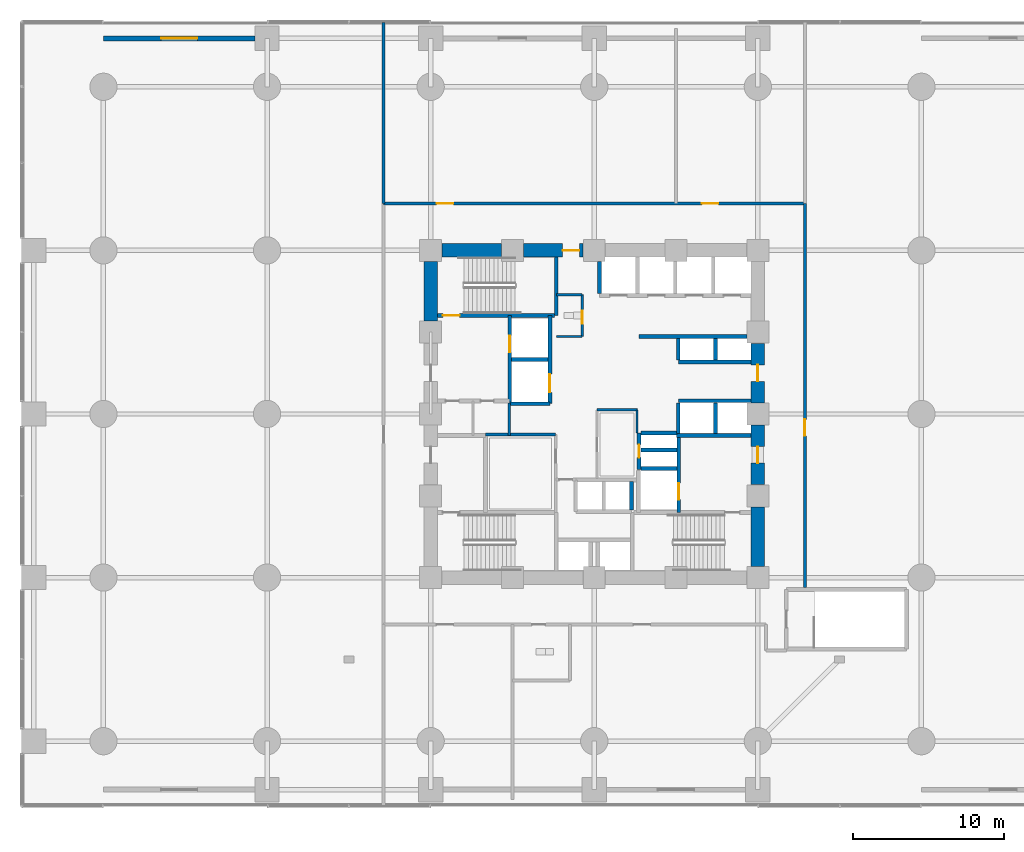
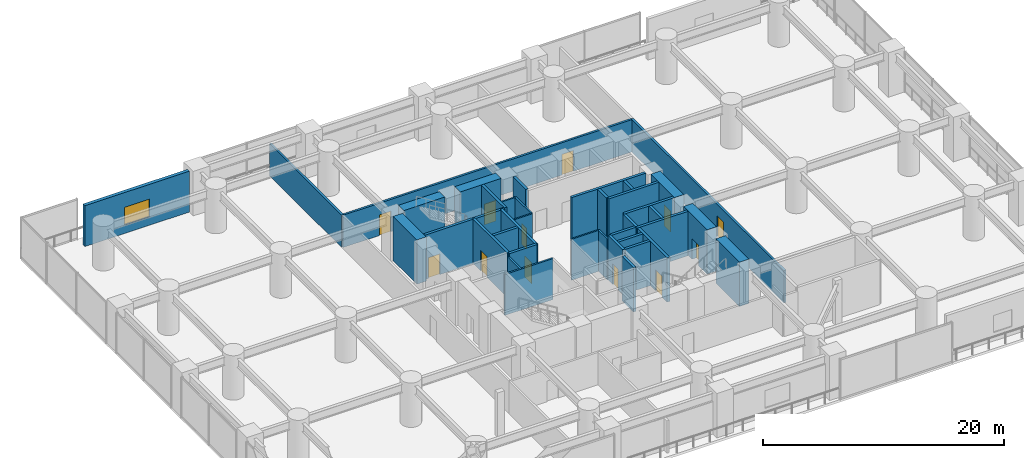
# One storey, part 28 of 35: 38 walls, 12 doors, 1 window, 13 openings.
"""IFC4 building model written with IfcOpenShell, lengths in metres."""

from ifc_helpers import new_model, si_unit, direction, frame, frame_2d, origin, place, context, subcontext, project, spatial, rectangle, extrude, material, layer, layer_set, type_object, element, fill, save


model = new_model("IFC4")

# Units and contexts
model_context = context("Model", 3, precision=1e-05, world=origin(), true_north=direction((0.0, 1.0)))
body_context = subcontext(model_context, "Body", "Model", "MODEL_VIEW")
ifc_project = project(units=[si_unit("LENGTHUNIT", "METRE"), si_unit("AREAUNIT", "SQUARE_METRE"), si_unit("VOLUMEUNIT", "CUBIC_METRE"), si_unit("PLANEANGLEUNIT", "RADIAN"), si_unit("MASSUNIT", "GRAM", prefix="KILO")], contexts=[model_context])

# Site, building, storey
site_placement = place(None, origin())
site = spatial("IfcSite", under=ifc_project, at=site_placement, CompositionType="ELEMENT")
building_placement = place(site_placement, origin())
building = spatial("IfcBuilding", under=site, at=building_placement, Name="Surkhivell Harbour Commons", CompositionType="ELEMENT")
storey_placement = place(building_placement, frame((0.0, 0.0, 13.5)))
storey = spatial("IfcBuildingStorey", under=building, at=storey_placement, Name="L03", CompositionType="ELEMENT", Elevation=13.5)

# Walls
ifc_material_1 = material(Name="Concrete C80/95", Category="concrete")
ifc_layer_1 = layer(ifc_material_1, 0.89990234375)
ifc_layer_set_1 = layer_set([ifc_layer_1], Name="Concrete C80/95")
wall_type_1 = type_object("IfcWallType", Name="WAL-CORE-900", PredefinedType="SHEAR", material=ifc_layer_set_1)
for number, where, z_axis, x_axis, name in (
    (1, (-10.06494140625, 10.800048828125, 0.0), (0.0, 0.0, 1.0), (1.0, 0.0, 0.0), "L03 Core Shear Wall North 1"),
    (2, (10.800048828125, -10.06494140625, 0.0), (0.0, 0.0, 1.0), (0.0, 1.0, 0.0), "L03 Core Shear Wall East 1"),
):
    element("IfcWall", number, at=place(storey_placement, frame(where, z_axis=z_axis, x_axis=x_axis)), inside=storey, type_object=wall_type_1, Name=name, PredefinedType="SHEAR", context=body_context, shape_type="SweptSolid", body=[
        extrude(rectangle(XDim=3.929931640625, YDim=0.89990234375, at=frame_2d((1.96484375, 0.0))), origin(), (0.0, 0.0, 1.0), 4.5),
    ])

# Wall, opening, door
wall_1_placement = place(storey_placement, frame((-4.6650390625, 10.800048828125, 0.0), z_axis=(0.0, 0.0, 1.0), x_axis=(1.0, 0.0, 0.0)))
wall_1 = element("IfcWall", 3, at=wall_1_placement, inside=storey, type_object=wall_type_1, Name="L03 Core Shear Wall North 2", PredefinedType="SHEAR", context=body_context, shape_type="SweptSolid", body=[
    extrude(rectangle(XDim=3.929931640625, YDim=0.89990234375, at=frame_2d((1.96484375, 0.0))), origin(), (0.0, 0.0, 1.0), 4.5),
])
opening_1_placement = place(wall_1_placement, frame((2.580078125, 0.0, 0.0)))
opening_1 = element("IfcOpeningElement", 4, at=opening_1_placement, cuts=wall_1, Name="Opening ID-2", PredefinedType="OPENING", context=body_context, shape_type="SweptSolid", body=[
    extrude(rectangle(XDim=1.10009765625, YDim=2.10009765625, at=frame_2d((0.550048828125, 1.050048828125))), frame((0.0, 0.4599609375, 0.0), z_axis=(0.0, -1.0, 0.0), x_axis=(1.0, 0.0, 0.0)), (0.0, 0.0, 1.0), 0.919921875),
])
ifc_material_2 = material(Name="Hardwood-veneered fire-rated door leaf", Category="wood")
door_type_1 = type_object("IfcDoorType", Name="DOR-FD60-1100", OperationType="NOTDEFINED", PredefinedType="DOOR", material=ifc_material_2)
door_1_placement = place(opening_1_placement, origin())
door_1 = element("IfcDoor", 5, at=door_1_placement, inside=storey, type_object=door_type_1, Name="L03 Central Core Lift Hall North Corridor Door", OperationType="SINGLE_SWING_LEFT", OverallHeight=2.10009765625, OverallWidth=1.10009765625, PredefinedType="DOOR", context=body_context, shape_type="SweptSolid", body=[
    extrude(rectangle(XDim=1.10009765625, YDim=2.10009765625, at=frame_2d((0.550048828125, 1.050048828125))), frame((0.0, 0.02490234375, 0.0), z_axis=(0.0, -1.0, 0.0), x_axis=(1.0, 0.0, 0.0)), (0.0, 0.0, 1.0), 0.050048828125),
])
fill(opening_1, door_1)

wall_2_placement = place(storey_placement, frame((10.800048828125, -4.6650390625, 0.0), z_axis=(0.0, 0.0, 1.0), x_axis=(0.0, 1.0, 0.0)))
wall_2 = element("IfcWall", 6, at=wall_2_placement, inside=storey, type_object=wall_type_1, Name="L03 Core Shear Wall East 2", PredefinedType="SHEAR", context=body_context, shape_type="SweptSolid", body=[
    extrude(rectangle(XDim=3.929931640625, YDim=0.89990234375, at=frame_2d((1.96484375, 0.0))), origin(), (0.0, 0.0, 1.0), 4.5),
])
opening_2_placement = place(wall_2_placement, frame((1.4150390625, 0.0, 0.0)))
opening_2 = element("IfcOpeningElement", 7, at=opening_2_placement, cuts=wall_2, Name="Opening ID-1", PredefinedType="OPENING", context=body_context, shape_type="SweptSolid", body=[
    extrude(rectangle(XDim=1.10009765625, YDim=2.10009765625, at=frame_2d((0.550048828125, 1.050048828125))), frame((0.0, 0.4599609375, 0.0), z_axis=(0.0, -1.0, 0.0), x_axis=(1.0, 0.0, 0.0)), (0.0, 0.0, 1.0), 0.919921875),
])
door_type_2 = type_object("IfcDoorType", Name="DOR-FD120-1100", OperationType="NOTDEFINED", PredefinedType="DOOR", material=ifc_material_2)
door_2_placement = place(opening_2_placement, origin())
door_2 = element("IfcDoor", 8, at=door_2_placement, inside=storey, type_object=door_type_2, Name="L03 Firefighting Lobby 2 Corridor Door", OperationType="SINGLE_SWING_RIGHT", OverallHeight=2.10009765625, OverallWidth=1.10009765625, PredefinedType="DOOR", context=body_context, shape_type="SweptSolid", body=[
    extrude(rectangle(XDim=1.10009765625, YDim=2.10009765625, at=frame_2d((0.550048828125, 1.050048828125))), frame((0.0, 0.02490234375, 0.0), z_axis=(0.0, -1.0, 0.0), x_axis=(1.0, 0.0, 0.0)), (0.0, 0.0, 1.0), 0.050048828125),
])
fill(opening_2, door_2)

wall_3_placement = place(storey_placement, frame((10.800048828125, 0.735107421875, 0.0), z_axis=(0.0, 0.0, 1.0), x_axis=(0.0, 1.0, 0.0)))
wall_3 = element("IfcWall", 9, at=wall_3_placement, inside=storey, type_object=wall_type_1, Name="L03 Core Shear Wall East 3", PredefinedType="SHEAR", context=body_context, shape_type="SweptSolid", body=[
    extrude(rectangle(XDim=3.929931640625, YDim=0.89990234375, at=frame_2d((1.96484375, 0.0))), origin(), (0.0, 0.0, 1.0), 4.5),
])
opening_3_placement = place(wall_3_placement, frame((1.4150390625, 0.0, 0.0)))
opening_3 = element("IfcOpeningElement", 10, at=opening_3_placement, cuts=wall_3, Name="Opening ID-2", PredefinedType="OPENING", context=body_context, shape_type="SweptSolid", body=[
    extrude(rectangle(XDim=1.10009765625, YDim=2.10009765625, at=frame_2d((0.550048828125, 1.050048828125))), frame((0.0, 0.4599609375, 0.0), z_axis=(0.0, -1.0, 0.0), x_axis=(1.0, 0.0, 0.0)), (0.0, 0.0, 1.0), 0.919921875),
])
door_3_placement = place(opening_3_placement, origin())
door_3 = element("IfcDoor", 11, at=door_3_placement, inside=storey, type_object=door_type_1, Name="L03 Mid-Rise Lobby East Door", OperationType="SINGLE_SWING_LEFT", OverallHeight=2.10009765625, OverallWidth=1.10009765625, PredefinedType="DOOR", context=body_context, shape_type="SweptSolid", body=[
    extrude(rectangle(XDim=1.10009765625, YDim=2.10009765625, at=frame_2d((0.550048828125, 1.050048828125))), frame((0.0, 0.02490234375, 0.0), z_axis=(0.0, -1.0, 0.0), x_axis=(1.0, 0.0, 0.0)), (0.0, 0.0, 1.0), 0.050048828125),
])
fill(opening_3, door_3)

# Wall
wall_4_placement = place(storey_placement, frame((-10.800048828125, 6.135009765625, 0.0), z_axis=(0.0, 0.0, 1.0), x_axis=(0.0, 1.0, 0.0)))
element("IfcWall", 12, at=wall_4_placement, inside=storey, type_object=wall_type_1, Name="L03 Core Shear Wall West 4", PredefinedType="SHEAR", context=body_context, shape_type="SweptSolid", body=[
    extrude(rectangle(XDim=3.929931640625, YDim=0.89990234375, at=frame_2d((1.96484375, 0.0))), origin(), (0.0, 0.0, 1.0), 4.5),
])

# Wall, opening, window
ifc_material_3 = material(Name="Kiln-fired surkhi brick and precast concrete C45/55", Category="masonry")
ifc_layer_2 = layer(ifc_material_3, 0.320068359375)
ifc_layer_set_2 = layer_set([ifc_layer_2], Name="Kiln-fired surkhi brick and precast concrete C45/55")
wall_type_2 = type_object("IfcWallType", Name="WAL-EXT-BRK320", PredefinedType="STANDARD", material=ifc_layer_set_2)
wall_5_placement = place(storey_placement, frame((-32.39990234375, 24.800048828125, 0.0), z_axis=(0.0, 0.0, 1.0), x_axis=(1.0, 0.0, 0.0)))
wall_5 = element("IfcWall", 13, at=wall_5_placement, inside=storey, type_object=wall_type_2, Name="L03 Podium Brick Facade Wall N2", PredefinedType="STANDARD", context=body_context, shape_type="SweptSolid", body=[
    extrude(rectangle(XDim=10.001953125, YDim=0.320068359375, at=frame_2d((5.0009765625, 0.0))), origin(), (0.0, 0.0, 1.0), 4.14990234375),
])
opening_4_placement = place(wall_5_placement, frame((3.801025390625, 0.0, 0.85009765625)))
opening_4 = element("IfcOpeningElement", 14, at=opening_4_placement, cuts=wall_5, Name="Opening WN-01", PredefinedType="OPENING", context=body_context, shape_type="SweptSolid", body=[
    extrude(rectangle(XDim=2.39990234375, YDim=1.800048828125, at=frame_2d((1.199951171875, 0.89990234375))), frame((0.0, 0.169921875, 0.0), z_axis=(0.0, -1.0, 0.0), x_axis=(1.0, 0.0, 0.0)), (0.0, 0.0, 1.0), 0.340087890625),
])
ifc_material_4 = material(Name="Thermal-break aluminium frame and double low-E glazing", Category="aluminium")
window_type = type_object("IfcWindowType", Name="WIN-POD-2400x1800", PartitioningType="DOUBLE_PANEL_VERTICAL", PredefinedType="WINDOW", material=ifc_material_4)
window_placement = place(opening_4_placement, origin())
window = element("IfcWindow", 15, at=window_placement, inside=storey, type_object=window_type, Name="L03 Podium Punched Window N2", OverallHeight=1.800048828125, OverallWidth=2.39990234375, PartitioningType="SINGLE_PANEL", PredefinedType="WINDOW", context=body_context, shape_type="SweptSolid", body=[
    extrude(rectangle(XDim=2.39990234375, YDim=1.800048828125, at=frame_2d((1.199951171875, 0.89990234375))), frame((0.0, 0.030029296875, 0.0), z_axis=(0.0, -1.0, 0.0), x_axis=(1.0, 0.0, 0.0)), (0.0, 0.0, 1.0), 0.06005859375),
])
fill(opening_4, window)

# Wall, opening, door
ifc_material_5 = material(Name="Twin-stud acoustic fireboard partition", Category="other")
ifc_layer_3 = layer(ifc_material_5, 0.14990234375)
ifc_layer_set_3 = layer_set([ifc_layer_3], Name="Twin-stud acoustic fireboard partition")
wall_type_3 = type_object("IfcWallType", Name="WAL-INT-150", PredefinedType="PARTITIONING", material=ifc_layer_set_3)
wall_6_placement = place(storey_placement, frame((-0.800048828125, 5.1201171875, 0.0), z_axis=(0.0, 0.0, 1.0), x_axis=(0.0, 1.0, 0.0)))
wall_6 = element("IfcWall", 16, at=wall_6_placement, inside=storey, type_object=wall_type_3, Name="L03 Core Accessible WC East Wall", PredefinedType="PARTITIONING", context=body_context, shape_type="SweptSolid", body=[
    extrude(rectangle(XDim=2.759765625, YDim=0.14990234375, at=frame_2d((1.3798828125, 0.0))), origin(), (0.0, 0.0, 1.0), 4.14990234375),
])
opening_5_placement = place(wall_6_placement, frame((0.85009765625, 0.0, 0.0)))
opening_5 = element("IfcOpeningElement", 17, at=opening_5_placement, cuts=wall_6, Name="Opening ID-6", PredefinedType="OPENING", context=body_context, shape_type="SweptSolid", body=[
    extrude(rectangle(XDim=0.85009765625, YDim=2.10009765625, at=frame_2d((0.425048828125, 1.050048828125))), frame((0.0, 0.0849609375, 0.0), z_axis=(0.0, -1.0, 0.0), x_axis=(1.0, 0.0, 0.0)), (0.0, 0.0, 1.0), 0.169921875),
])
door_type_3 = type_object("IfcDoorType", Name="DOR-FD30-850", OperationType="NOTDEFINED", PredefinedType="DOOR", material=ifc_material_2)
door_4_placement = place(opening_5_placement, origin())
door_4 = element("IfcDoor", 18, at=door_4_placement, inside=storey, type_object=door_type_3, Name="L03 Floor Accessible WC Door", OperationType="SINGLE_SWING_LEFT", OverallHeight=2.10009765625, OverallWidth=0.85009765625, PredefinedType="DOOR", context=body_context, shape_type="SweptSolid", body=[
    extrude(rectangle(XDim=0.85009765625, YDim=2.10009765625, at=frame_2d((0.425048828125, 1.050048828125))), frame((0.0, 0.02490234375, 0.0), z_axis=(0.0, -1.0, 0.0), x_axis=(1.0, 0.0, 0.0)), (0.0, 0.0, 1.0), 0.050048828125),
])
fill(opening_5, door_4)

# Walls
for number, where, z_axis, x_axis, name in (
    (19, (-2.47998046875, 7.8798828125, 0.0), (0.0, 0.0, 1.0), (1.0, 0.0, 0.0), "L03 Core Accessible WC North Wall"),
    (20, (-2.47998046875, 5.1201171875, 0.0), (0.0, 0.0, 1.0), (1.0, 0.0, 0.0), "L03 Core Accessible WC South Wall"),
):
    element("IfcWall", number, at=place(storey_placement, frame(where, z_axis=z_axis, x_axis=x_axis)), inside=storey, type_object=wall_type_3, Name=name, PredefinedType="PARTITIONING", context=body_context, shape_type="SweptSolid", body=[
        extrude(rectangle(XDim=1.679931640625, YDim=0.14990234375, at=frame_2d((0.83984375, 0.0))), origin(), (0.0, 0.0, 1.0), 4.14990234375),
    ])
wall_7_placement = place(storey_placement, frame((2.820068359375, -1.25, 0.0), z_axis=(0.0, 0.0, 1.0), x_axis=(0.0, 1.0, 0.0)))
element("IfcWall", 21, at=wall_7_placement, inside=storey, type_object=wall_type_3, Name="L03 Central Music East Wall", PredefinedType="PARTITIONING", context=body_context, shape_type="SweptSolid", body=[
    extrude(rectangle(XDim=1.530029296875, YDim=0.14990234375, at=frame_2d((0.76513671875, 0.0))), origin(), (0.0, 0.0, 1.0), 4.14990234375),
])
wall_8_placement = place(storey_placement, frame((0.179931640625, 0.280029296875, 0.0), z_axis=(0.0, 0.0, 1.0), x_axis=(1.0, 0.0, 0.0)))
element("IfcWall", 22, at=wall_8_placement, inside=storey, type_object=wall_type_3, Name="L03 Central Music North Wall", PredefinedType="PARTITIONING", context=body_context, shape_type="SweptSolid", body=[
    extrude(rectangle(XDim=2.670166015625, YDim=0.14990234375, at=frame_2d((1.3349609375, 0.0))), origin(), (0.0, 0.0, 1.0), 4.14990234375),
])
ifc_material_6 = material(Name="High-density acoustic blockwork fire partition", Category="masonry")
ifc_layer_4 = layer(ifc_material_6, 0.175048828125)
ifc_layer_set_4 = layer_set([ifc_layer_4], Name="High-density acoustic blockwork fire partition")
wall_type_4 = type_object("IfcWallType", Name="WAL-INT-175", PredefinedType="PARTITIONING", material=ifc_layer_set_4)
wall_9_placement = place(storey_placement, frame((-7.179931640625, -1.35009765625, 0.0), z_axis=(0.0, 0.0, 1.0), x_axis=(1.0, 0.0, 0.0)))
element("IfcWall", 23, at=wall_9_placement, inside=storey, type_object=wall_type_4, Name="L03 Core Service Bay North Wall", PredefinedType="PARTITIONING", context=body_context, shape_type="SweptSolid", body=[
    extrude(rectangle(XDim=4.6298828125, YDim=0.175048828125, at=frame_2d((2.31494140625, 0.0))), origin(), (0.0, 0.0, 1.0), 4.14990234375),
])
wall_10_placement = place(storey_placement, frame((-5.6201171875, -1.419921875, 0.0), z_axis=(0.0, 0.0, 1.0), x_axis=(0.0, 1.0, 0.0)))
element("IfcWall", 24, at=wall_10_placement, inside=storey, type_object=wall_type_4, Name="L03 West Core Bay East Wall", PredefinedType="PARTITIONING", context=body_context, shape_type="SweptSolid", body=[
    extrude(rectangle(XDim=2.139892578125, YDim=0.175048828125, at=frame_2d((1.06982421875, 0.0))), origin(), (0.0, 0.0, 1.0), 4.14990234375),
])

# Wall, opening, door
ifc_material_7 = material(Name="Autoclaved aerated concrete blockwork and fire plaster", Category="masonry")
ifc_layer_5 = layer(ifc_material_7, 0.199951171875)
ifc_layer_set_5 = layer_set([ifc_layer_5], Name="Autoclaved aerated concrete blockwork and fire plaster")
wall_type_5 = type_object("IfcWallType", Name="WAL-INT-200", PredefinedType="PARTITIONING", material=ifc_layer_set_5)
wall_11_placement = place(storey_placement, frame((13.89990234375, -11.449951171875, 0.0), z_axis=(0.0, 0.0, 1.0), x_axis=(0.0, 1.0, 0.0)))
wall_11 = element("IfcWall", 25, at=wall_11_placement, inside=storey, type_object=wall_type_5, Name="L03 Corridor East Wall", PredefinedType="PARTITIONING", context=body_context, shape_type="SweptSolid", body=[
    extrude(rectangle(XDim=25.349853515625, YDim=0.199951171875, at=frame_2d((12.6748046875, 0.0))), origin(), (0.0, 0.0, 1.0), 3.279052734375),
])
opening_6_placement = place(wall_11_placement, frame((10.0, 0.0, 0.0)))
opening_6 = element("IfcOpeningElement", 26, at=opening_6_placement, cuts=wall_11, Name="Opening ID-2", PredefinedType="OPENING", context=body_context, shape_type="SweptSolid", body=[
    extrude(rectangle(XDim=1.10009765625, YDim=2.10009765625, at=frame_2d((0.550048828125, 1.050048828125))), frame((0.0, 0.10986328125, 0.0), z_axis=(0.0, -1.0, 0.0), x_axis=(1.0, 0.0, 0.0)), (0.0, 0.0, 1.0), 0.219970703125),
])
door_5_placement = place(opening_6_placement, origin())
door_5 = element("IfcDoor", 27, at=door_5_placement, inside=storey, type_object=door_type_1, Name="L03 L03 East Seminar Hall Door", OperationType="SINGLE_SWING_RIGHT", OverallHeight=2.10009765625, OverallWidth=1.10009765625, PredefinedType="DOOR", context=body_context, shape_type="SweptSolid", body=[
    extrude(rectangle(XDim=1.10009765625, YDim=2.10009765625, at=frame_2d((0.550048828125, 1.050048828125))), frame((0.0, 0.02490234375, 0.0), z_axis=(0.0, -1.0, 0.0), x_axis=(1.0, 0.0, 0.0)), (0.0, 0.0, 1.0), 0.050048828125),
])
fill(opening_6, door_5)

# Wall, openings, doors
wall_12_placement = place(storey_placement, frame((-13.89990234375, 13.89990234375, 0.0), z_axis=(0.0, 0.0, 1.0), x_axis=(1.0, 0.0, 0.0)))
wall_12 = element("IfcWall", 28, at=wall_12_placement, inside=storey, type_object=wall_type_5, Name="L03 Corridor North Wall", PredefinedType="PARTITIONING", context=body_context, shape_type="SweptSolid", body=[
    extrude(rectangle(XDim=27.7998046875, YDim=0.199951171875, at=frame_2d((13.89990234375, 0.0))), origin(), (0.0, 0.0, 1.0), 3.279052734375),
])
opening_7_placement = place(wall_12_placement, frame((3.5, 0.0, 0.0)))
opening_7 = element("IfcOpeningElement", 29, at=opening_7_placement, cuts=wall_12, Name="Opening ID-2", PredefinedType="OPENING", context=body_context, shape_type="SweptSolid", body=[
    extrude(rectangle(XDim=1.10009765625, YDim=2.10009765625, at=frame_2d((0.550048828125, 1.050048828125))), frame((0.0, 0.10986328125, 0.0), z_axis=(0.0, -1.0, 0.0), x_axis=(1.0, 0.0, 0.0)), (0.0, 0.0, 1.0), 0.219970703125),
])
opening_8_placement = place(wall_12_placement, frame((21.0, 0.0, 0.0)))
opening_8 = element("IfcOpeningElement", 30, at=opening_8_placement, cuts=wall_12, Name="Opening ID-2", PredefinedType="OPENING", context=body_context, shape_type="SweptSolid", body=[
    extrude(rectangle(XDim=1.10009765625, YDim=2.10009765625, at=frame_2d((0.550048828125, 1.050048828125))), frame((0.0, 0.10986328125, 0.0), z_axis=(0.0, -1.0, 0.0), x_axis=(1.0, 0.0, 0.0)), (0.0, 0.0, 1.0), 0.219970703125),
])
door_6_placement = place(opening_7_placement, origin())
door_6 = element("IfcDoor", 31, at=door_6_placement, inside=storey, type_object=door_type_1, Name="L03 Co-Working Innovation Hall Door", OperationType="SINGLE_SWING_RIGHT", OverallHeight=2.10009765625, OverallWidth=1.10009765625, PredefinedType="DOOR", context=body_context, shape_type="SweptSolid", body=[
    extrude(rectangle(XDim=1.10009765625, YDim=2.10009765625, at=frame_2d((0.550048828125, 1.050048828125))), frame((0.0, 0.02490234375, 0.0), z_axis=(0.0, -1.0, 0.0), x_axis=(1.0, 0.0, 0.0)), (0.0, 0.0, 1.0), 0.050048828125),
])
fill(opening_7, door_6)
door_7_placement = place(opening_8_placement, origin())
door_7 = element("IfcDoor", 32, at=door_7_placement, inside=storey, type_object=door_type_1, Name="L03 Auditorium Lecture Forum Door", OperationType="SINGLE_SWING_LEFT", OverallHeight=2.10009765625, OverallWidth=1.10009765625, PredefinedType="DOOR", context=body_context, shape_type="SweptSolid", body=[
    extrude(rectangle(XDim=1.10009765625, YDim=2.10009765625, at=frame_2d((0.550048828125, 1.050048828125))), frame((0.0, 0.02490234375, 0.0), z_axis=(0.0, -1.0, 0.0), x_axis=(1.0, 0.0, 0.0)), (0.0, 0.0, 1.0), 0.050048828125),
])
fill(opening_8, door_7)

# Wall
wall_13_placement = place(storey_placement, frame((-13.89990234375, 13.89990234375, 0.0), z_axis=(0.0, 0.0, 1.0), x_axis=(0.0, 1.0, 0.0)))
element("IfcWall", 33, at=wall_13_placement, inside=storey, type_object=wall_type_5, Name="L03 Corner NW Divider", PredefinedType="PARTITIONING", context=body_context, shape_type="SweptSolid", body=[
    extrude(rectangle(XDim=11.960205078125, YDim=0.199951171875, at=frame_2d((5.97998046875, 0.0))), origin(), (0.0, 0.0, 1.0), 3.279052734375),
])

# Wall, opening, door
ifc_material_8 = material(Name="Concrete C50/60", Category="concrete")
ifc_layer_6 = layer(ifc_material_8, 0.25)
ifc_layer_set_6 = layer_set([ifc_layer_6], Name="Concrete C50/60")
wall_type_6 = type_object("IfcWallType", Name="WAL-SHAFT-250", PredefinedType="SHEAR", material=ifc_layer_set_6)
wall_14_placement = place(storey_placement, frame((-5.580078125, 0.719970703125, 0.0), z_axis=(0.0, 0.0, 1.0), x_axis=(0.0, 1.0, 0.0)))
wall_14 = element("IfcWall", 34, at=wall_14_placement, inside=storey, type_object=wall_type_6, Name="L03 Firefighting Lobby 1 East Shaft Wall", PredefinedType="SHEAR", context=body_context, shape_type="SweptSolid", body=[
    extrude(rectangle(XDim=5.7900390625, YDim=0.25, at=frame_2d((2.89501953125, 0.0))), origin(), (0.0, 0.0, 1.0), 4.5),
])
opening_9_placement = place(wall_14_placement, frame((3.35009765625, 0.0, 0.0)))
opening_9 = element("IfcOpeningElement", 35, at=opening_9_placement, cuts=wall_14, Name="Opening LD-1", PredefinedType="OPENING", context=body_context, shape_type="SweptSolid", body=[
    extrude(rectangle(XDim=1.10009765625, YDim=2.10009765625, at=frame_2d((0.550048828125, 1.050048828125))), frame((0.0, 0.135009765625, 0.0), z_axis=(0.0, -1.0, 0.0), x_axis=(1.0, 0.0, 0.0)), (0.0, 0.0, 1.0), 0.27001953125),
])
ifc_material_9 = material(Name="Brushed stainless steel S355", Category="steel")
door_type_4 = type_object("IfcDoorType", Name="DOR-LD-1100", OperationType="SLIDING_TO_LEFT", PredefinedType="DOOR", material=ifc_material_9)
door_8_placement = place(opening_9_placement, origin())
door_8 = element("IfcDoor", 36, at=door_8_placement, inside=storey, type_object=door_type_4, Name="L03 Lift Landing Door LD-FFL1", OperationType="SLIDING_TO_LEFT", OverallHeight=2.10009765625, OverallWidth=1.10009765625, PredefinedType="DOOR", context=body_context, shape_type="SweptSolid", body=[
    extrude(rectangle(XDim=1.10009765625, YDim=2.10009765625, at=frame_2d((0.550048828125, 1.050048828125))), frame((0.0, 0.02490234375, 0.0), z_axis=(0.0, -1.0, 0.0), x_axis=(1.0, 0.0, 0.0)), (0.0, 0.0, 1.0), 0.050048828125),
])
fill(opening_9, door_8)

# Walls
wall_15_placement = place(storey_placement, frame((5.43994140625, -1.419921875, 0.0), z_axis=(0.0, 0.0, 1.0), x_axis=(1.0, 0.0, 0.0)))
element("IfcWall", 37, at=wall_15_placement, inside=storey, type_object=wall_type_6, Name="L03 Firefighting Lobby 2 North Wall", PredefinedType="SHEAR", context=body_context, shape_type="SweptSolid", body=[
    extrude(rectangle(XDim=4.900146484375, YDim=0.25, at=frame_2d((2.4501953125, 0.0))), origin(), (0.0, 0.0, 1.0), 4.5),
])
wall_16_placement = place(storey_placement, frame((3.080078125, -3.60009765625, 0.0), z_axis=(0.0, 0.0, 1.0), x_axis=(1.0, 0.0, 0.0)))
element("IfcWall", 38, at=wall_16_placement, inside=storey, type_object=wall_type_6, Name="L03 FFL2 North Shaft Wall", PredefinedType="SHEAR", context=body_context, shape_type="SweptSolid", body=[
    extrude(rectangle(XDim=2.369873046875, YDim=0.25, at=frame_2d((1.18505859375, 0.0))), origin(), (0.0, 0.0, 1.0), 4.5),
])

# Wall, opening, door
wall_17_placement = place(storey_placement, frame((5.580078125, -6.510009765625, 0.0), z_axis=(0.0, 0.0, 1.0), x_axis=(0.0, 1.0, 0.0)))
wall_17 = element("IfcWall", 39, at=wall_17_placement, inside=storey, type_object=wall_type_6, Name="L03 Firefighting Lobby 2 West Shaft Wall", PredefinedType="SHEAR", context=body_context, shape_type="SweptSolid", body=[
    extrude(rectangle(XDim=5.090087890625, YDim=0.25, at=frame_2d((2.544921875, 0.0))), origin(), (0.0, 0.0, 1.0), 4.5),
])
opening_10_placement = place(wall_17_placement, frame((0.85009765625, 0.0, 0.0)))
opening_10 = element("IfcOpeningElement", 40, at=opening_10_placement, cuts=wall_17, Name="Opening LD-1", PredefinedType="OPENING", context=body_context, shape_type="SweptSolid", body=[
    extrude(rectangle(XDim=1.10009765625, YDim=2.10009765625, at=frame_2d((0.550048828125, 1.050048828125))), frame((0.0, 0.135009765625, 0.0), z_axis=(0.0, -1.0, 0.0), x_axis=(1.0, 0.0, 0.0)), (0.0, 0.0, 1.0), 0.27001953125),
])
door_9_placement = place(opening_10_placement, origin())
door_9 = element("IfcDoor", 41, at=door_9_placement, inside=storey, type_object=door_type_4, Name="L03 Lift Landing Door LD-FFL2", OperationType="SLIDING_TO_RIGHT", OverallHeight=2.10009765625, OverallWidth=1.10009765625, PredefinedType="DOOR", context=body_context, shape_type="SweptSolid", body=[
    extrude(rectangle(XDim=1.10009765625, YDim=2.10009765625, at=frame_2d((0.550048828125, 1.050048828125))), frame((0.0, 0.02490234375, 0.0), z_axis=(0.0, -1.0, 0.0), x_axis=(1.0, 0.0, 0.0)), (0.0, 0.0, 1.0), 0.050048828125),
])
fill(opening_10, door_9)

# Walls
wall_18_placement = place(storey_placement, frame((2.449951171875, -6.340087890625, 0.0), z_axis=(0.0, 0.0, 1.0), x_axis=(0.0, 1.0, 0.0)))
element("IfcWall", 42, at=wall_18_placement, inside=storey, type_object=wall_type_6, Name="L03 High-Rise Side Wall N", PredefinedType="SHEAR", context=body_context, shape_type="SweptSolid", body=[
    extrude(rectangle(XDim=1.880126953125, YDim=0.25, at=frame_2d((0.93994140625, 0.0))), origin(), (0.0, 0.0, 1.0), 4.5),
])
wall_19_placement = place(storey_placement, frame((0.35009765625, 7.93994140625, 0.0), z_axis=(0.0, 0.0, 1.0), x_axis=(0.0, 1.0, 0.0)))
element("IfcWall", 43, at=wall_19_placement, inside=storey, type_object=wall_type_6, Name="L03 Low-Rise Hoistway Wall", PredefinedType="SHEAR", context=body_context, shape_type="SweptSolid", body=[
    extrude(rectangle(XDim=2.135009765625, YDim=0.25, at=frame_2d((1.0673828125, 0.0))), origin(), (0.0, 0.0, 1.0), 4.5),
])
wall_20_placement = place(storey_placement, frame((2.949951171875, 5.1201171875, 0.0), z_axis=(0.0, 0.0, 1.0), x_axis=(1.0, 0.0, 0.0)))
element("IfcWall", 44, at=wall_20_placement, inside=storey, type_object=wall_type_6, Name="L03 Low-Rise Lobby South Wall", PredefinedType="SHEAR", context=body_context, shape_type="SweptSolid", body=[
    extrude(rectangle(XDim=7.125, YDim=0.25, at=frame_2d((3.5625, 0.0))), origin(), (0.0, 0.0, 1.0), 4.5),
])
for number, where, z_axis, x_axis, name in (
    (45, (5.550048828125, 3.550048828125, 0.0), (0.0, 0.0, 1.0), (0.0, 1.0, 0.0), "L03 Mid-Rise Shaft Side Wall N"),
    (46, (8.0, 3.550048828125, 0.0), (0.0, 0.0, 1.0), (0.0, 1.0, 0.0), "L03 Mid-Rise Shaft Side Wall N"),
):
    element("IfcWall", number, at=place(storey_placement, frame(where, z_axis=z_axis, x_axis=x_axis)), inside=storey, type_object=wall_type_6, Name=name, PredefinedType="SHEAR", context=body_context, shape_type="SweptSolid", body=[
        extrude(rectangle(XDim=1.449951171875, YDim=0.25, at=frame_2d((0.72509765625, 0.0))), origin(), (0.0, 0.0, 1.0), 4.5),
    ])
for number, where, z_axis, x_axis, name in (
    (47, (5.550048828125, -1.300048828125, 0.0), (0.0, 0.0, 1.0), (0.0, 1.0, 0.0), "L03 Mid-Rise Shaft Side Wall S"),
    (48, (8.0, -1.300048828125, 0.0), (0.0, 0.0, 1.0), (0.0, 1.0, 0.0), "L03 Mid-Rise Shaft Side Wall S"),
):
    element("IfcWall", number, at=place(storey_placement, frame(where, z_axis=z_axis, x_axis=x_axis)), inside=storey, type_object=wall_type_6, Name=name, PredefinedType="SHEAR", context=body_context, shape_type="SweptSolid", body=[
        extrude(rectangle(XDim=2.0400390625, YDim=0.25, at=frame_2d((1.02001953125, 0.0))), origin(), (0.0, 0.0, 1.0), 4.5),
    ])
for number, where, z_axis, x_axis, name in (
    (49, (5.550048828125, 3.429931640625, 0.0), (0.0, 0.0, 1.0), (1.0, 0.0, 0.0), "L03 Mid-Rise North Front Shaft Wall"),
    (50, (5.550048828125, 0.8701171875, 0.0), (0.0, 0.0, 1.0), (1.0, 0.0, 0.0), "L03 Mid-Rise South Front Shaft Wall"),
):
    element("IfcWall", number, at=place(storey_placement, frame(where, z_axis=z_axis, x_axis=x_axis)), inside=storey, type_object=wall_type_6, Name=name, PredefinedType="SHEAR", context=body_context, shape_type="SweptSolid", body=[
        extrude(rectangle(XDim=4.800048828125, YDim=0.25, at=frame_2d((2.39990234375, 0.0))), origin(), (0.0, 0.0, 1.0), 4.5),
    ])
for number, where, z_axis, x_axis, name in (
    (51, (3.080078125, -2.3798828125, 0.0), (0.0, 0.0, 1.0), (1.0, 0.0, 0.0), "L03 Riser Divider Wall"),
    (52, (3.080078125, -1.25, 0.0), (0.0, 0.0, 1.0), (1.0, 0.0, 0.0), "L03 Riser North Wall"),
):
    element("IfcWall", number, at=place(storey_placement, frame(where, z_axis=z_axis, x_axis=x_axis)), inside=storey, type_object=wall_type_6, Name=name, PredefinedType="SHEAR", context=body_context, shape_type="SweptSolid", body=[
        extrude(rectangle(XDim=2.369873046875, YDim=0.25, at=frame_2d((1.18505859375, 0.0))), origin(), (0.0, 0.0, 1.0), 4.5),
    ])

# Wall, opening, door
wall_21_placement = place(storey_placement, frame((2.949951171875, -3.64990234375, 0.0), z_axis=(0.0, 0.0, 1.0), x_axis=(0.0, 1.0, 0.0)))
wall_21 = element("IfcWall", 53, at=wall_21_placement, inside=storey, type_object=wall_type_6, Name="L03 Riser Shaft West Wall", PredefinedType="SHEAR", context=body_context, shape_type="SweptSolid", body=[
    extrude(rectangle(XDim=2.39990234375, YDim=0.25, at=frame_2d((1.199951171875, 0.0))), origin(), (0.0, 0.0, 1.0), 4.5),
])
opening_11_placement = place(wall_21_placement, frame((0.77490234375, 0.0, 0.0)))
opening_11 = element("IfcOpeningElement", 54, at=opening_11_placement, cuts=wall_21, Name="Opening ID-6", PredefinedType="OPENING", context=body_context, shape_type="SweptSolid", body=[
    extrude(rectangle(XDim=0.85009765625, YDim=2.10009765625, at=frame_2d((0.425048828125, 1.050048828125))), frame((0.0, 0.135009765625, 0.0), z_axis=(0.0, -1.0, 0.0), x_axis=(1.0, 0.0, 0.0)), (0.0, 0.0, 1.0), 0.27001953125),
])
door_10_placement = place(opening_11_placement, origin())
door_10 = element("IfcDoor", 55, at=door_10_placement, inside=storey, type_object=door_type_3, Name="L03 Electrical Riser Access Door", OperationType="SINGLE_SWING_LEFT", OverallHeight=2.10009765625, OverallWidth=0.85009765625, PredefinedType="DOOR", context=body_context, shape_type="SweptSolid", body=[
    extrude(rectangle(XDim=0.85009765625, YDim=2.10009765625, at=frame_2d((0.425048828125, 1.050048828125))), frame((0.0, 0.02490234375, 0.0), z_axis=(0.0, -1.0, 0.0), x_axis=(1.0, 0.0, 0.0)), (0.0, 0.0, 1.0), 0.050048828125),
])
fill(opening_11, door_10)

# Wall
wall_22_placement = place(storey_placement, frame((-2.510009765625, 6.510009765625, 0.0), z_axis=(0.0, 0.0, 1.0), x_axis=(0.0, 1.0, 0.0)))
element("IfcWall", 56, at=wall_22_placement, inside=storey, type_object=wall_type_6, Name="L03 Stair ST1 East Shear Wall", PredefinedType="SHEAR", context=body_context, shape_type="SweptSolid", body=[
    extrude(rectangle(XDim=3.840087890625, YDim=0.25, at=frame_2d((1.919921875, 0.0))), origin(), (0.0, 0.0, 1.0), 4.5),
])

# Wall, opening, door
wall_23_placement = place(storey_placement, frame((-10.340087890625, 6.510009765625, 0.0), z_axis=(0.0, 0.0, 1.0), x_axis=(1.0, 0.0, 0.0)))
wall_23 = element("IfcWall", 57, at=wall_23_placement, inside=storey, type_object=wall_type_6, Name="L03 Stair ST1 South Shear Wall", PredefinedType="SHEAR", context=body_context, shape_type="SweptSolid", body=[
    extrude(rectangle(XDim=7.7001953125, YDim=0.25, at=frame_2d((3.85009765625, 0.0))), origin(), (0.0, 0.0, 1.0), 4.5),
])
opening_12_placement = place(wall_23_placement, frame((0.35009765625, 0.0, 0.0)))
opening_12 = element("IfcOpeningElement", 58, at=opening_12_placement, cuts=wall_23, Name="Opening ID-2", PredefinedType="OPENING", context=body_context, shape_type="SweptSolid", body=[
    extrude(rectangle(XDim=1.10009765625, YDim=2.10009765625, at=frame_2d((0.550048828125, 1.050048828125))), frame((0.0, 0.135009765625, 0.0), z_axis=(0.0, -1.0, 0.0), x_axis=(1.0, 0.0, 0.0)), (0.0, 0.0, 1.0), 0.27001953125),
])
door_11_placement = place(opening_12_placement, origin())
door_11 = element("IfcDoor", 59, at=door_11_placement, inside=storey, type_object=door_type_1, Name="L03 Stair ST1 Exit Door", OperationType="SINGLE_SWING_LEFT", OverallHeight=2.10009765625, OverallWidth=1.10009765625, PredefinedType="DOOR", context=body_context, shape_type="SweptSolid", body=[
    extrude(rectangle(XDim=1.10009765625, YDim=2.10009765625, at=frame_2d((0.550048828125, 1.050048828125))), frame((0.0, 0.02490234375, 0.0), z_axis=(0.0, -1.0, 0.0), x_axis=(1.0, 0.0, 0.0)), (0.0, 0.0, 1.0), 0.050048828125),
])
fill(opening_12, door_11)

wall_24_placement = place(storey_placement, frame((-2.929931640625, 0.679931640625, 0.0), z_axis=(0.0, 0.0, 1.0), x_axis=(0.0, 1.0, 0.0)))
wall_24 = element("IfcWall", 60, at=wall_24_placement, inside=storey, type_object=wall_type_6, Name="L03 Service and Fire Lift East Shaft Wall", PredefinedType="SHEAR", context=body_context, shape_type="SweptSolid", body=[
    extrude(rectangle(XDim=5.830078125, YDim=0.25, at=frame_2d((2.9150390625, 0.0))), origin(), (0.0, 0.0, 1.0), 4.5),
])
opening_13_placement = place(wall_24_placement, frame((0.75, 0.0, 0.0)))
opening_13 = element("IfcOpeningElement", 61, at=opening_13_placement, cuts=wall_24, Name="Opening LD-2", PredefinedType="OPENING", context=body_context, shape_type="SweptSolid", body=[
    extrude(rectangle(XDim=1.199951171875, YDim=2.10009765625, at=frame_2d((0.60009765625, 1.050048828125))), frame((0.0, 0.135009765625, 0.0), z_axis=(0.0, -1.0, 0.0), x_axis=(1.0, 0.0, 0.0)), (0.0, 0.0, 1.0), 0.27001953125),
])
door_type_5 = type_object("IfcDoorType", Name="DOR-LD-1200", OperationType="SLIDING_TO_LEFT", PredefinedType="DOOR", material=ifc_material_9)
door_12_placement = place(opening_13_placement, origin())
door_12 = element("IfcDoor", 62, at=door_12_placement, inside=storey, type_object=door_type_5, Name="L03 Lift Landing Door LD-SVL1", OperationType="SLIDING_TO_LEFT", OverallHeight=2.10009765625, OverallWidth=1.199951171875, PredefinedType="DOOR", context=body_context, shape_type="SweptSolid", body=[
    extrude(rectangle(XDim=1.199951171875, YDim=2.10009765625, at=frame_2d((0.60009765625, 1.050048828125))), frame((0.0, 0.02490234375, 0.0), z_axis=(0.0, -1.0, 0.0), x_axis=(1.0, 0.0, 0.0)), (0.0, 0.0, 1.0), 0.050048828125),
])
fill(opening_13, door_12)

# Walls
wall_25_placement = place(storey_placement, frame((-5.449951171875, 3.60009765625, 0.0), z_axis=(0.0, 0.0, 1.0), x_axis=(1.0, 0.0, 0.0)))
element("IfcWall", 63, at=wall_25_placement, inside=storey, type_object=wall_type_6, Name="L03 FFL1/SVL1 Shaft Divider", PredefinedType="SHEAR", context=body_context, shape_type="SweptSolid", body=[
    extrude(rectangle(XDim=2.389892578125, YDim=0.25, at=frame_2d((1.19482421875, 0.0))), origin(), (0.0, 0.0, 1.0), 4.5),
])
wall_26_placement = place(storey_placement, frame((-5.580078125, 0.679931640625, 0.0), z_axis=(0.0, 0.0, 1.0), x_axis=(1.0, 0.0, 0.0)))
element("IfcWall", 64, at=wall_26_placement, inside=storey, type_object=wall_type_6, Name="L03 SVL1 South Shaft Wall", PredefinedType="SHEAR", context=body_context, shape_type="SweptSolid", body=[
    extrude(rectangle(XDim=2.650146484375, YDim=0.25, at=frame_2d((1.3251953125, 0.0))), origin(), (0.0, 0.0, 1.0), 4.5),
])

save(model, "model.ifc")
